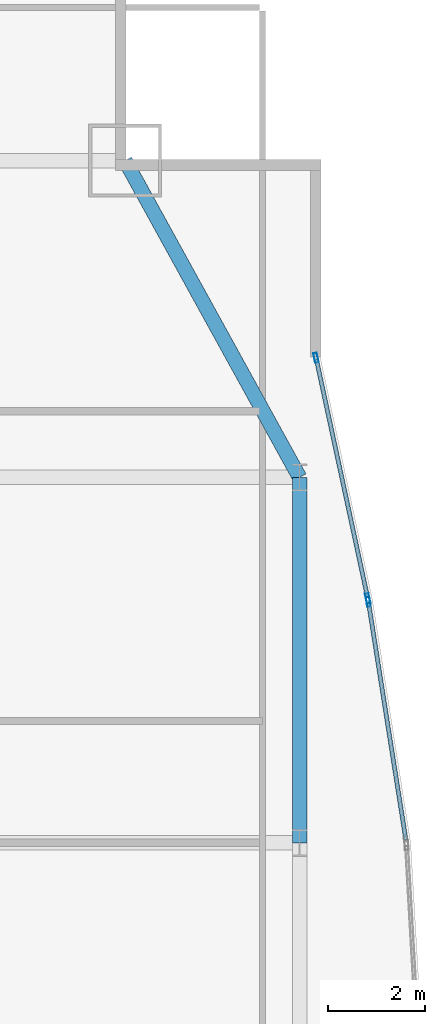
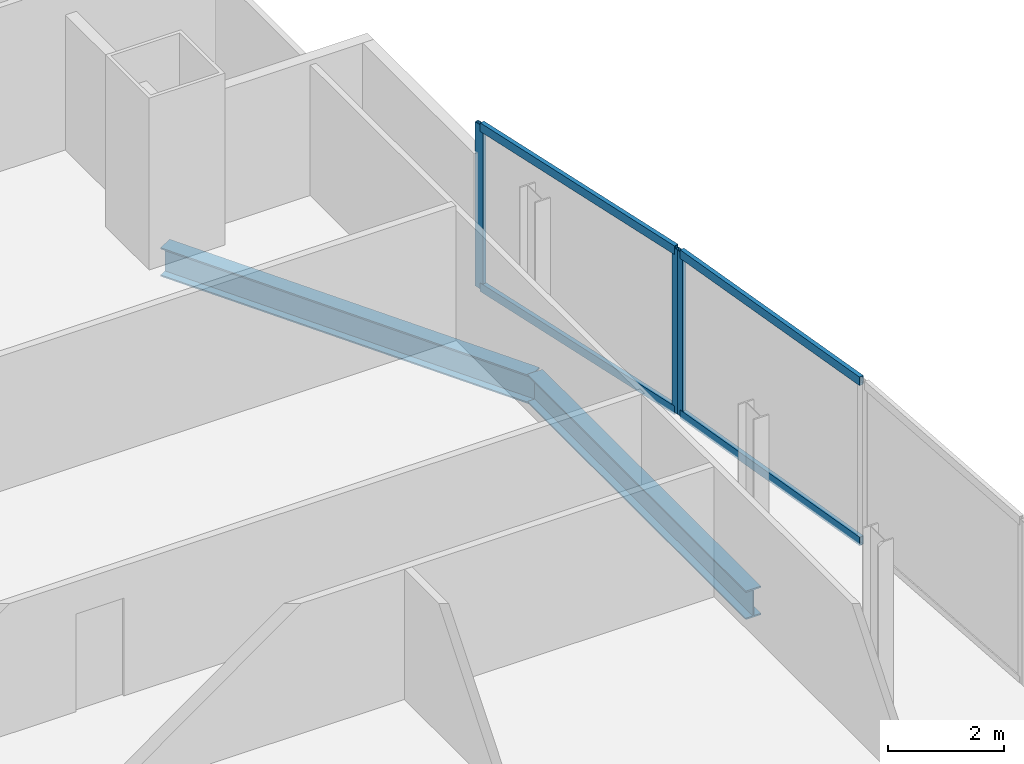
# One storey, part 23 of 32: 7 members, 2 beams, 2 elements without a shape of their own.
"""IFC4 building model written with IfcOpenShell, lengths in metres."""

from ifc_helpers import new_model, si_unit, direction, frame, origin, origin_2d, place, context, subcontext, project, spatial, hollow_rectangle, i_section, extrude, material, material_profile, profile_set, type_object, element, aggregate, save


model = new_model("IFC4")

# Units and contexts
model_context = context("Model", 3, precision=1e-05, world=origin(), true_north=direction((0.0, 1.0)))
body_context = subcontext(model_context, "Body", "Model", "MODEL_VIEW")
ifc_project = project(units=[si_unit("LENGTHUNIT", "METRE"), si_unit("AREAUNIT", "SQUARE_METRE"), si_unit("VOLUMEUNIT", "CUBIC_METRE"), si_unit("PLANEANGLEUNIT", "RADIAN"), si_unit("MASSUNIT", "GRAM", prefix="KILO")], contexts=[model_context])

# Site, building, storey
site_placement = place(None, origin())
site = spatial("IfcSite", under=ifc_project, at=site_placement, CompositionType="ELEMENT")
building_placement = place(site_placement, origin())
building = spatial("IfcBuilding", under=site, at=building_placement, Name="Khoronbel Lancet Exchange", CompositionType="ELEMENT")
storey_placement = place(building_placement, frame((0.0, 0.0, 111.0)))
storey = spatial("IfcBuildingStorey", under=building, at=storey_placement, Name="L26", CompositionType="ELEMENT", Elevation=111.0)

# Beams
ifc_material_1 = material(Name="Steel S355", Category="steel")
ifc_material_profile_1 = material_profile(ifc_material_1, i_section(OverallWidth=0.300048828125, OverallDepth=0.60009765625, WebThickness=0.015380859375, FlangeThickness=0.030029296875, at=origin_2d()), Name="HEB 600")
ifc_profile_set_1 = profile_set([ifc_material_profile_1], Name="Steel S355")
beam_type = type_object("IfcBeamType", Name="BM-BSP2", PredefinedType="SPANDREL", material=ifc_profile_set_1)
beam_1_placement = place(storey_placement, frame((69.6298828125, 35.699951171875, -0.4599609375), z_axis=(0.0, 1.0, 0.0), x_axis=(-1.0, 0.0, 0.0)))
element("IfcBeam", 1, at=beam_1_placement, inside=storey, type_object=beam_type, Name="Level L26 perimeter spandrel beam SP14", PredefinedType="SPANDREL", context=body_context, shape_type="SweptSolid", body=[
    extrude(i_section(OverallWidth=0.300048828125, OverallDepth=0.60009765625, WebThickness=0.015380859375, FlangeThickness=0.030029296875, at=origin_2d()), origin(), (0.0, 0.0, 1.0), 7.5),
])
beam_2_placement = place(storey_placement, frame((69.6298828125, 43.199951171875, -0.4599609375), z_axis=(-0.482418808117, 0.875940690672, 0.0), x_axis=(-0.875940690672, -0.482418808117, 0.0)))
element("IfcBeam", 2, at=beam_2_placement, inside=storey, type_object=beam_type, Name="Level L26 perimeter spandrel beam SP15", PredefinedType="SPANDREL", context=body_context, shape_type="SweptSolid", body=[
    extrude(i_section(OverallWidth=0.300048828125, OverallDepth=0.60009765625, WebThickness=0.015380859375, FlangeThickness=0.030029296875, at=origin_2d()), origin(), (0.0, 0.0, 1.0), 7.420654296875),
])

# Curtain wall, members
ifc_material_2 = material(Name="Low-E Solar Control Insulating Glass", Category="glass")
curtain_wall_type = type_object("IfcCurtainWallType", Name="CW-4", PredefinedType="NOTDEFINED", material=ifc_material_2)
curtain_wall_1_placement = place(storey_placement, origin())
curtain_wall_1 = element("IfcCurtainWall", 3, at=curtain_wall_1_placement, inside=storey, type_object=curtain_wall_type, Name="Unitised curtain wall CW-L26-E17", PredefinedType="NOTDEFINED")
ifc_material_3 = material(Name="Bronze-Anodised Aluminium 6063-T6", Category="aluminium")
ifc_material_profile_2 = material_profile(ifc_material_3, hollow_rectangle(XDim=0.074951171875, YDim=0.199951171875, WallThickness=0.0048828125, at=origin_2d()), Name="ALU MULLION 75x200")
ifc_profile_set_2 = profile_set([ifc_material_profile_2], Name="Bronze-Anodised Aluminium 6063-T6")
member_type_1 = type_object("IfcMemberType", Name="MEM-CWM2", PredefinedType="MULLION", material=ifc_profile_set_2)
member_1_placement = place(storey_placement, frame((69.9677734375, 45.65380859375, 0.0), z_axis=(0.0, 0.0, 1.0), x_axis=(0.977658451967, 0.210199789006, 0.0)))
member_1 = element("IfcMember", 4, at=member_1_placement, type_object=member_type_1, Name="CW4 mullion 1", PredefinedType="MULLION", context=body_context, shape_type="SweptSolid", body=[
    extrude(hollow_rectangle(XDim=0.074951171875, YDim=0.199951171875, WallThickness=0.0048828125, at=origin_2d()), origin(), (0.0, 0.0, 1.0), 3.43994140625),
])
member_2_placement = place(storey_placement, frame((71.028564453125, 40.72021484375, 0.0), z_axis=(0.0, 0.0, 1.0), x_axis=(0.977658451967, 0.210199789006, 0.0)))
member_2 = element("IfcMember", 5, at=member_2_placement, type_object=member_type_1, Name="CW4 mullion 2", PredefinedType="MULLION", context=body_context, shape_type="SweptSolid", body=[
    extrude(hollow_rectangle(XDim=0.074951171875, YDim=0.199951171875, WallThickness=0.0048828125, at=origin_2d()), origin(), (0.0, 0.0, 1.0), 3.43994140625),
])

# Curtain wall, member
curtain_wall_2_placement = place(storey_placement, origin())
curtain_wall_2 = element("IfcCurtainWall", 6, at=curtain_wall_2_placement, inside=storey, type_object=curtain_wall_type, Name="Unitised curtain wall CW-L26-E18", PredefinedType="NOTDEFINED")
member_3_placement = place(storey_placement, frame((71.042236328125, 40.646484375, 0.0), z_axis=(0.0, 0.0, 1.0), x_axis=(0.987838563117, 0.155483031933, 0.0)))
member_3 = element("IfcMember", 7, at=member_3_placement, type_object=member_type_1, Name="CW4 mullion 1", PredefinedType="MULLION", context=body_context, shape_type="SweptSolid", body=[
    extrude(hollow_rectangle(XDim=0.074951171875, YDim=0.199951171875, WallThickness=0.0048828125, at=origin_2d()), origin(), (0.0, 0.0, 1.0), 3.43994140625),
])

# Member
ifc_material_profile_3 = material_profile(ifc_material_3, hollow_rectangle(XDim=0.0849609375, YDim=0.179931640625, WallThickness=0.0048828125, at=origin_2d()), Name="ALU TRANSOM 85x180")
ifc_profile_set_3 = profile_set([ifc_material_profile_3], Name="Bronze-Anodised Aluminium 6063-T6")
member_type_2 = type_object("IfcMemberType", Name="MEM-CWT1", PredefinedType="USERDEFINED", material=ifc_profile_set_3)
member_4_placement = place(storey_placement, frame((69.975830078125, 45.6171875, 0.04248046875), z_axis=(0.210186382887, -0.97766133423, 0.0), x_axis=(0.97766133423, 0.210186382887, 0.0)))
member_4 = element("IfcMember", 8, at=member_4_placement, type_object=member_type_2, Name="CW4 transom 1.1", ObjectType="TRANSOM", PredefinedType="USERDEFINED", context=body_context, shape_type="SweptSolid", body=[
    extrude(hollow_rectangle(XDim=0.0849609375, YDim=0.179931640625, WallThickness=0.0048828125, at=origin_2d()), origin(), (0.0, 0.0, 1.0), 4.971435546875),
])

member_5_placement = place(storey_placement, frame((69.975830078125, 45.6171875, 3.3974609375), z_axis=(0.210186382887, -0.97766133423, 0.0), x_axis=(0.97766133423, 0.210186382887, 0.0)))
member_5 = element("IfcMember", 9, at=member_5_placement, type_object=member_type_2, Name="CW4 transom 1.2", ObjectType="TRANSOM", PredefinedType="USERDEFINED", context=body_context, shape_type="SweptSolid", body=[
    extrude(hollow_rectangle(XDim=0.0849609375, YDim=0.179931640625, WallThickness=0.0048828125, at=origin_2d()), origin(), (0.0, 0.0, 1.0), 4.971435546875),
])

aggregate(curtain_wall_1, [member_1, member_2, member_4, member_5])

member_6_placement = place(storey_placement, frame((71.048095703125, 40.609375, 0.04248046875), z_axis=(0.155505007056, -0.987835104043, 0.0), x_axis=(0.987835104043, 0.155505007056, 0.0)))
member_6 = element("IfcMember", 10, at=member_6_placement, type_object=member_type_2, Name="CW4 transom 1.1", ObjectType="TRANSOM", PredefinedType="USERDEFINED", context=body_context, shape_type="SweptSolid", body=[
    extrude(hollow_rectangle(XDim=0.0849609375, YDim=0.179931640625, WallThickness=0.0048828125, at=origin_2d()), origin(), (0.0, 0.0, 1.0), 4.904541015625),
])

member_7_placement = place(storey_placement, frame((71.048095703125, 40.609375, 3.3974609375), z_axis=(0.155505007056, -0.987835104043, 0.0), x_axis=(0.987835104043, 0.155505007056, 0.0)))
member_7 = element("IfcMember", 11, at=member_7_placement, type_object=member_type_2, Name="CW4 transom 1.2", ObjectType="TRANSOM", PredefinedType="USERDEFINED", context=body_context, shape_type="SweptSolid", body=[
    extrude(hollow_rectangle(XDim=0.0849609375, YDim=0.179931640625, WallThickness=0.0048828125, at=origin_2d()), origin(), (0.0, 0.0, 1.0), 4.904541015625),
])

aggregate(curtain_wall_2, [member_3, member_6, member_7])

save(model, "model.ifc")
